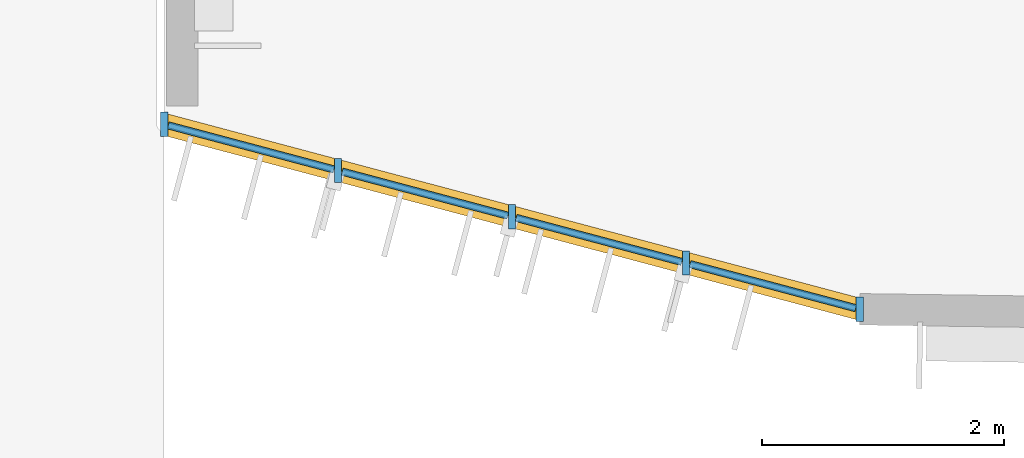
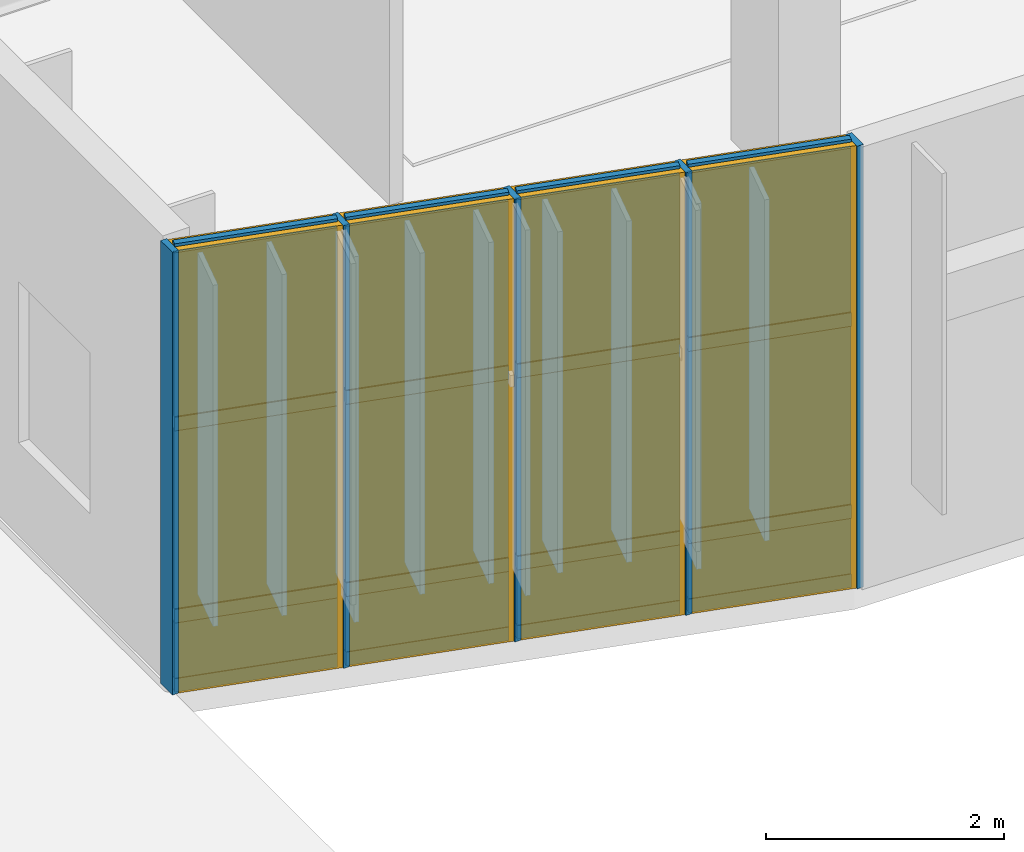
# One storey, part 82 of 122: 21 members, 12 plates, 1 curtain wall.
"""IFC4 building model written with IfcOpenShell, lengths in metres."""

from ifc_helpers import new_model, si_unit, direction, frame, frame_2d, origin, origin_2d, place, context, subcontext, project, spatial, rectangle, extrude, material, layer, layer_set, material_profile, profile_set, type_object, element, aggregate, save


model = new_model("IFC4")

# Units and contexts
model_context = context("Model", 3, precision=1e-05, world=origin(), true_north=direction((0.0, 1.0)))
body_context = subcontext(model_context, "Body", "Model", "MODEL_VIEW")
ifc_project = project(units=[si_unit("LENGTHUNIT", "METRE"), si_unit("AREAUNIT", "SQUARE_METRE"), si_unit("VOLUMEUNIT", "CUBIC_METRE"), si_unit("PLANEANGLEUNIT", "RADIAN"), si_unit("MASSUNIT", "GRAM", prefix="KILO")], contexts=[model_context])

# Member
ifc_material_1 = material(Name="Anodised Bronze Aluminium 6063-T6", Category="aluminium")
ifc_material_profile_1 = material_profile(ifc_material_1, rectangle(XDim=0.06005859375, YDim=0.199951171875, at=origin_2d()), Name="ALU MULLION 60x200")
ifc_profile_set_1 = profile_set([ifc_material_profile_1], Name="Anodised Bronze Aluminium 6063-T6")
member_type_1 = type_object("IfcMemberType", Name="Curtain-Wall Standard Mullion 60x200", PredefinedType="MULLION", material=ifc_profile_set_1)
site_placement = place(None, origin())
building_placement = place(site_placement, origin())
storey_placement = place(building_placement, origin())
member_1_placement = place(storey_placement, frame((125.39990234375, 18.800048828125, 0.0), z_axis=(0.0, 0.0, 1.0), x_axis=(1.0, 0.0, 0.0)))
member_1 = element("IfcMember", 1, at=member_1_placement, type_object=member_type_1, Name="Mullion CWM-03 CW-V4-DRUM-L00-S01-M01", PredefinedType="MULLION", context=body_context, shape_type="SweptSolid", body=[
    extrude(rectangle(XDim=0.06005859375, YDim=0.199951171875, at=origin_2d()), origin(), (0.0, 0.0, 1.0), 4.5400390625),
])

member_2_placement = place(storey_placement, frame((126.839599609375, 18.4169921875, 0.0), z_axis=(0.0, 0.0, 1.0), x_axis=(1.0, 0.0, 0.0)))
member_2 = element("IfcMember", 2, at=member_2_placement, type_object=member_type_1, Name="Mullion CWM-03 CW-V4-DRUM-L00-S01-M02", PredefinedType="MULLION", context=body_context, shape_type="SweptSolid", body=[
    extrude(rectangle(XDim=0.06005859375, YDim=0.199951171875, at=origin_2d()), origin(), (0.0, 0.0, 1.0), 4.5400390625),
])

member_3_placement = place(storey_placement, frame((128.279296875, 18.0341796875, 0.0), z_axis=(0.0, 0.0, 1.0), x_axis=(1.0, 0.0, 0.0)))
member_3 = element("IfcMember", 3, at=member_3_placement, type_object=member_type_1, Name="Mullion CWM-03 CW-V4-DRUM-L00-S01-M03", PredefinedType="MULLION", context=body_context, shape_type="SweptSolid", body=[
    extrude(rectangle(XDim=0.06005859375, YDim=0.199951171875, at=origin_2d()), origin(), (0.0, 0.0, 1.0), 4.5400390625),
])

member_4_placement = place(storey_placement, frame((129.718994140625, 17.651611328125, 0.0), z_axis=(0.0, 0.0, 1.0), x_axis=(1.0, 0.0, 0.0)))
member_4 = element("IfcMember", 4, at=member_4_placement, type_object=member_type_1, Name="Mullion CWM-03 CW-V4-DRUM-L00-S01-M04", PredefinedType="MULLION", context=body_context, shape_type="SweptSolid", body=[
    extrude(rectangle(XDim=0.06005859375, YDim=0.199951171875, at=origin_2d()), origin(), (0.0, 0.0, 1.0), 4.5400390625),
])

member_5_placement = place(storey_placement, frame((131.15869140625, 17.2685546875, 0.0), z_axis=(0.0, 0.0, 1.0), x_axis=(1.0, 0.0, 0.0)))
member_5 = element("IfcMember", 5, at=member_5_placement, type_object=member_type_1, Name="Mullion CWM-03 CW-V4-DRUM-L00-S01-M05", PredefinedType="MULLION", context=body_context, shape_type="SweptSolid", body=[
    extrude(rectangle(XDim=0.06005859375, YDim=0.199951171875, at=origin_2d()), origin(), (0.0, 0.0, 1.0), 4.5400390625),
])

ifc_material_profile_2 = material_profile(ifc_material_1, rectangle(XDim=0.06005859375, YDim=0.139892578125, at=origin_2d()), Name="ALU TRANSOM 60x140")
ifc_profile_set_2 = profile_set([ifc_material_profile_2], Name="Anodised Bronze Aluminium 6063-T6")
member_type_2 = type_object("IfcMemberType", Name="Curtain-Wall Transom 60x140", PredefinedType="USERDEFINED", material=ifc_profile_set_2)
member_6_placement = place(storey_placement, frame((125.433837890625, 18.791015625, 0.0400390625), z_axis=(0.966391732417, -0.257073957289, 0.0), x_axis=(0.257073957289, 0.966391732417, 0.0)))
member_6 = element("IfcMember", 6, at=member_6_placement, type_object=member_type_2, Name="Transom CWT-01 CW-V4-DRUM-L00-S01-T01.1", ObjectType="TRANSOM", PredefinedType="USERDEFINED", context=body_context, shape_type="SweptSolid", body=[
    extrude(rectangle(XDim=0.06005859375, YDim=0.139892578125, at=origin_2d()), origin(), (0.0, 0.0, 1.0), 1.419677734375),
])

member_7_placement = place(storey_placement, frame((125.433837890625, 18.791015625, 0.75), z_axis=(0.966391732417, -0.257073957289, 0.0), x_axis=(0.257073957289, 0.966391732417, 0.0)))
member_7 = element("IfcMember", 7, at=member_7_placement, type_object=member_type_2, Name="Transom CWT-01 CW-V4-DRUM-L00-S01-T01.2", ObjectType="TRANSOM", PredefinedType="USERDEFINED", context=body_context, shape_type="SweptSolid", body=[
    extrude(rectangle(XDim=0.06005859375, YDim=0.139892578125, at=origin_2d()), origin(), (0.0, 0.0, 1.0), 1.419677734375),
])

member_8_placement = place(storey_placement, frame((125.433837890625, 18.791015625, 2.720703125), z_axis=(0.966391732417, -0.257073957289, 0.0), x_axis=(0.257073957289, 0.966391732417, 0.0)))
member_8 = element("IfcMember", 8, at=member_8_placement, type_object=member_type_2, Name="Transom CWT-01 CW-V4-DRUM-L00-S01-T01.3", ObjectType="TRANSOM", PredefinedType="USERDEFINED", context=body_context, shape_type="SweptSolid", body=[
    extrude(rectangle(XDim=0.06005859375, YDim=0.139892578125, at=origin_2d()), origin(), (0.0, 0.0, 1.0), 1.419677734375),
])

member_9_placement = place(storey_placement, frame((125.433837890625, 18.791015625, 4.5), z_axis=(0.966391732417, -0.257073957289, 0.0), x_axis=(0.257073957289, 0.966391732417, 0.0)))
member_9 = element("IfcMember", 9, at=member_9_placement, type_object=member_type_2, Name="Transom CWT-01 CW-V4-DRUM-L00-S01-T01.4", ObjectType="TRANSOM", PredefinedType="USERDEFINED", context=body_context, shape_type="SweptSolid", body=[
    extrude(rectangle(XDim=0.06005859375, YDim=0.139892578125, at=origin_2d()), origin(), (0.0, 0.0, 1.0), 1.419677734375),
])

member_10_placement = place(storey_placement, frame((126.87353515625, 18.408203125, 0.0400390625), z_axis=(0.966391732417, -0.257073957289, 0.0), x_axis=(0.257073957289, 0.966391732417, 0.0)))
member_10 = element("IfcMember", 10, at=member_10_placement, type_object=member_type_2, Name="Transom CWT-01 CW-V4-DRUM-L00-S01-T02.1", ObjectType="TRANSOM", PredefinedType="USERDEFINED", context=body_context, shape_type="SweptSolid", body=[
    extrude(rectangle(XDim=0.06005859375, YDim=0.139892578125, at=origin_2d()), origin(), (0.0, 0.0, 1.0), 1.419677734375),
])

member_11_placement = place(storey_placement, frame((126.87353515625, 18.408203125, 0.75), z_axis=(0.966391732417, -0.257073957289, 0.0), x_axis=(0.257073957289, 0.966391732417, 0.0)))
member_11 = element("IfcMember", 11, at=member_11_placement, type_object=member_type_2, Name="Transom CWT-01 CW-V4-DRUM-L00-S01-T02.2", ObjectType="TRANSOM", PredefinedType="USERDEFINED", context=body_context, shape_type="SweptSolid", body=[
    extrude(rectangle(XDim=0.06005859375, YDim=0.139892578125, at=origin_2d()), origin(), (0.0, 0.0, 1.0), 1.419677734375),
])

member_12_placement = place(storey_placement, frame((126.87353515625, 18.408203125, 2.720703125), z_axis=(0.966391732417, -0.257073957289, 0.0), x_axis=(0.257073957289, 0.966391732417, 0.0)))
member_12 = element("IfcMember", 12, at=member_12_placement, type_object=member_type_2, Name="Transom CWT-01 CW-V4-DRUM-L00-S01-T02.3", ObjectType="TRANSOM", PredefinedType="USERDEFINED", context=body_context, shape_type="SweptSolid", body=[
    extrude(rectangle(XDim=0.06005859375, YDim=0.139892578125, at=origin_2d()), origin(), (0.0, 0.0, 1.0), 1.419677734375),
])

member_13_placement = place(storey_placement, frame((126.87353515625, 18.408203125, 4.5), z_axis=(0.966391732417, -0.257073957289, 0.0), x_axis=(0.257073957289, 0.966391732417, 0.0)))
member_13 = element("IfcMember", 13, at=member_13_placement, type_object=member_type_2, Name="Transom CWT-01 CW-V4-DRUM-L00-S01-T02.4", ObjectType="TRANSOM", PredefinedType="USERDEFINED", context=body_context, shape_type="SweptSolid", body=[
    extrude(rectangle(XDim=0.06005859375, YDim=0.139892578125, at=origin_2d()), origin(), (0.0, 0.0, 1.0), 1.419677734375),
])

member_14_placement = place(storey_placement, frame((128.313232421875, 18.025390625, 0.0400390625), z_axis=(0.966391732417, -0.257073957289, 0.0), x_axis=(0.257073957289, 0.966391732417, 0.0)))
member_14 = element("IfcMember", 14, at=member_14_placement, type_object=member_type_2, Name="Transom CWT-01 CW-V4-DRUM-L00-S01-T03.1", ObjectType="TRANSOM", PredefinedType="USERDEFINED", context=body_context, shape_type="SweptSolid", body=[
    extrude(rectangle(XDim=0.06005859375, YDim=0.139892578125, at=origin_2d()), origin(), (0.0, 0.0, 1.0), 1.419677734375),
])

member_15_placement = place(storey_placement, frame((128.313232421875, 18.025390625, 0.75), z_axis=(0.966391732417, -0.257073957289, 0.0), x_axis=(0.257073957289, 0.966391732417, 0.0)))
member_15 = element("IfcMember", 15, at=member_15_placement, type_object=member_type_2, Name="Transom CWT-01 CW-V4-DRUM-L00-S01-T03.2", ObjectType="TRANSOM", PredefinedType="USERDEFINED", context=body_context, shape_type="SweptSolid", body=[
    extrude(rectangle(XDim=0.06005859375, YDim=0.139892578125, at=origin_2d()), origin(), (0.0, 0.0, 1.0), 1.419677734375),
])

member_16_placement = place(storey_placement, frame((128.313232421875, 18.025390625, 2.720703125), z_axis=(0.966391732417, -0.257073957289, 0.0), x_axis=(0.257073957289, 0.966391732417, 0.0)))
member_16 = element("IfcMember", 16, at=member_16_placement, type_object=member_type_2, Name="Transom CWT-01 CW-V4-DRUM-L00-S01-T03.3", ObjectType="TRANSOM", PredefinedType="USERDEFINED", context=body_context, shape_type="SweptSolid", body=[
    extrude(rectangle(XDim=0.06005859375, YDim=0.139892578125, at=origin_2d()), origin(), (0.0, 0.0, 1.0), 1.419677734375),
])

member_17_placement = place(storey_placement, frame((128.313232421875, 18.025390625, 4.5), z_axis=(0.966391732417, -0.257073957289, 0.0), x_axis=(0.257073957289, 0.966391732417, 0.0)))
member_17 = element("IfcMember", 17, at=member_17_placement, type_object=member_type_2, Name="Transom CWT-01 CW-V4-DRUM-L00-S01-T03.4", ObjectType="TRANSOM", PredefinedType="USERDEFINED", context=body_context, shape_type="SweptSolid", body=[
    extrude(rectangle(XDim=0.06005859375, YDim=0.139892578125, at=origin_2d()), origin(), (0.0, 0.0, 1.0), 1.419677734375),
])

member_18_placement = place(storey_placement, frame((129.7529296875, 17.642578125, 0.0400390625), z_axis=(0.966391732417, -0.257073957289, 0.0), x_axis=(0.257073957289, 0.966391732417, 0.0)))
member_18 = element("IfcMember", 18, at=member_18_placement, type_object=member_type_2, Name="Transom CWT-01 CW-V4-DRUM-L00-S01-T04.1", ObjectType="TRANSOM", PredefinedType="USERDEFINED", context=body_context, shape_type="SweptSolid", body=[
    extrude(rectangle(XDim=0.06005859375, YDim=0.139892578125, at=origin_2d()), origin(), (0.0, 0.0, 1.0), 1.419677734375),
])

member_19_placement = place(storey_placement, frame((129.7529296875, 17.642578125, 0.75), z_axis=(0.966391732417, -0.257073957289, 0.0), x_axis=(0.257073957289, 0.966391732417, 0.0)))
member_19 = element("IfcMember", 19, at=member_19_placement, type_object=member_type_2, Name="Transom CWT-01 CW-V4-DRUM-L00-S01-T04.2", ObjectType="TRANSOM", PredefinedType="USERDEFINED", context=body_context, shape_type="SweptSolid", body=[
    extrude(rectangle(XDim=0.06005859375, YDim=0.139892578125, at=origin_2d()), origin(), (0.0, 0.0, 1.0), 1.419677734375),
])

member_20_placement = place(storey_placement, frame((129.7529296875, 17.642578125, 2.720703125), z_axis=(0.966391732417, -0.257073957289, 0.0), x_axis=(0.257073957289, 0.966391732417, 0.0)))
member_20 = element("IfcMember", 20, at=member_20_placement, type_object=member_type_2, Name="Transom CWT-01 CW-V4-DRUM-L00-S01-T04.3", ObjectType="TRANSOM", PredefinedType="USERDEFINED", context=body_context, shape_type="SweptSolid", body=[
    extrude(rectangle(XDim=0.06005859375, YDim=0.139892578125, at=origin_2d()), origin(), (0.0, 0.0, 1.0), 1.419677734375),
])

member_21_placement = place(storey_placement, frame((129.7529296875, 17.642578125, 4.5), z_axis=(0.966391732417, -0.257073957289, 0.0), x_axis=(0.257073957289, 0.966391732417, 0.0)))
member_21 = element("IfcMember", 21, at=member_21_placement, type_object=member_type_2, Name="Transom CWT-01 CW-V4-DRUM-L00-S01-T04.4", ObjectType="TRANSOM", PredefinedType="USERDEFINED", context=body_context, shape_type="SweptSolid", body=[
    extrude(rectangle(XDim=0.06005859375, YDim=0.139892578125, at=origin_2d()), origin(), (0.0, 0.0, 1.0), 1.419677734375),
])

# Plate
ifc_material_2 = material(Name="Insulated Bronze Aluminium Spandrel Panel", Category="aluminium")
ifc_layer_1 = layer(ifc_material_2, 0.050048828125, Name="Insulated Bronze Aluminium Spandrel Panel")
ifc_layer_set_1 = layer_set([ifc_layer_1], Name="Insulated Bronze Aluminium Spandrel Panel")
plate_type_1 = type_object("IfcPlateType", Name="Insulated Anodised Aluminium Spandrel Cassette 50", PredefinedType="CURTAIN_PANEL", material=ifc_layer_set_1)
plate_1_placement = place(storey_placement, frame((126.119873046875, 18.608642578125, 0.070068359375), z_axis=(0.0, 0.0, 1.0), x_axis=(0.966413318036, -0.256992798969, 0.0)))
plate_1 = element("IfcPlate", 22, at=plate_1_placement, type_object=plate_type_1, Name="Curtain Panel CWP-03 CW-V4-DRUM-L00-S01-P01.1", PredefinedType="CURTAIN_PANEL", context=body_context, shape_type="SweptSolid", body=[
    extrude(rectangle(XDim=1.419677734375, YDim=0.050048828125, at=origin_2d()), origin(), (0.0, 0.0, 1.0), 0.64990234375),
])

plate_2_placement = place(storey_placement, frame((127.5595703125, 18.2255859375, 0.070068359375), z_axis=(0.0, 0.0, 1.0), x_axis=(0.966413318036, -0.256992798969, 0.0)))
plate_2 = element("IfcPlate", 23, at=plate_2_placement, type_object=plate_type_1, Name="Curtain Panel CWP-03 CW-V4-DRUM-L00-S01-P02.1", PredefinedType="CURTAIN_PANEL", context=body_context, shape_type="SweptSolid", body=[
    extrude(rectangle(XDim=1.419677734375, YDim=0.050048828125, at=origin_2d()), origin(), (0.0, 0.0, 1.0), 0.64990234375),
])

plate_3_placement = place(storey_placement, frame((128.999267578125, 17.843017578125, 0.070068359375), z_axis=(0.0, 0.0, 1.0), x_axis=(0.966413318036, -0.256992798969, 0.0)))
plate_3 = element("IfcPlate", 24, at=plate_3_placement, type_object=plate_type_1, Name="Curtain Panel CWP-03 CW-V4-DRUM-L00-S01-P03.1", PredefinedType="CURTAIN_PANEL", context=body_context, shape_type="SweptSolid", body=[
    extrude(rectangle(XDim=1.419677734375, YDim=0.050048828125, at=origin_2d()), origin(), (0.0, 0.0, 1.0), 0.64990234375),
])

plate_4_placement = place(storey_placement, frame((130.43896484375, 17.4599609375, 0.070068359375), z_axis=(0.0, 0.0, 1.0), x_axis=(0.966413318036, -0.256992798969, 0.0)))
plate_4 = element("IfcPlate", 25, at=plate_4_placement, type_object=plate_type_1, Name="Curtain Panel CWP-03 CW-V4-DRUM-L00-S01-P04.1", PredefinedType="CURTAIN_PANEL", context=body_context, shape_type="SweptSolid", body=[
    extrude(rectangle(XDim=1.419677734375, YDim=0.050048828125, at=origin_2d()), origin(), (0.0, 0.0, 1.0), 0.64990234375),
])

ifc_material_3 = material(Name="Solar-Control Tempered Double Glazing", Category="glass")
ifc_layer_2 = layer(ifc_material_3, 0.0380859375, Name="Solar-Control Tempered Double Glazing")
ifc_layer_set_2 = layer_set([ifc_layer_2], Name="Solar-Control Tempered Double Glazing")
plate_type_2 = type_object("IfcPlateType", Name="Solar-Control Vision Glazing Unit 38", PredefinedType="CURTAIN_PANEL", material=ifc_layer_set_2)
plate_5_placement = place(storey_placement, frame((126.119873046875, 18.608642578125, 0.77978515625), z_axis=(0.0, 0.0, 1.0), x_axis=(0.966413318036, -0.256992798969, 0.0)))
plate_5 = element("IfcPlate", 26, at=plate_5_placement, type_object=plate_type_2, Name="Curtain Panel CWP-02 CW-V4-DRUM-L00-S01-P01.2", PredefinedType="CURTAIN_PANEL", context=body_context, shape_type="SweptSolid", body=[
    extrude(rectangle(XDim=1.419677734375, YDim=0.0380859375, at=origin_2d()), origin(), (0.0, 0.0, 1.0), 1.910888671875),
])

plate_6_placement = place(storey_placement, frame((126.119873046875, 18.608642578125, 2.750732421875), z_axis=(0.0, 0.0, 1.0), x_axis=(0.966413318036, -0.256992798969, 0.0)))
plate_6 = element("IfcPlate", 27, at=plate_6_placement, type_object=plate_type_2, Name="Curtain Panel CWP-02 CW-V4-DRUM-L00-S01-P01.3", PredefinedType="CURTAIN_PANEL", context=body_context, shape_type="SweptSolid", body=[
    extrude(rectangle(XDim=1.419677734375, YDim=0.0380859375, at=origin_2d()), origin(), (0.0, 0.0, 1.0), 1.71923828125),
])

plate_7_placement = place(storey_placement, frame((127.5595703125, 18.2255859375, 0.77978515625), z_axis=(0.0, 0.0, 1.0), x_axis=(0.966413318036, -0.256992798969, 0.0)))
plate_7 = element("IfcPlate", 28, at=plate_7_placement, type_object=plate_type_2, Name="Curtain Panel CWP-02 CW-V4-DRUM-L00-S01-P02.2", PredefinedType="CURTAIN_PANEL", context=body_context, shape_type="SweptSolid", body=[
    extrude(rectangle(XDim=1.419677734375, YDim=0.0380859375, at=origin_2d()), origin(), (0.0, 0.0, 1.0), 1.910888671875),
])

plate_8_placement = place(storey_placement, frame((127.5595703125, 18.2255859375, 2.750732421875), z_axis=(0.0, 0.0, 1.0), x_axis=(0.966413318036, -0.256992798969, 0.0)))
plate_8 = element("IfcPlate", 29, at=plate_8_placement, type_object=plate_type_2, Name="Curtain Panel CWP-02 CW-V4-DRUM-L00-S01-P02.3", PredefinedType="CURTAIN_PANEL", context=body_context, shape_type="SweptSolid", body=[
    extrude(rectangle(XDim=1.419677734375, YDim=0.0380859375, at=origin_2d()), origin(), (0.0, 0.0, 1.0), 1.71923828125),
])

plate_9_placement = place(storey_placement, frame((128.999267578125, 17.843017578125, 0.77978515625), z_axis=(0.0, 0.0, 1.0), x_axis=(0.966413318036, -0.256992798969, 0.0)))
plate_9 = element("IfcPlate", 30, at=plate_9_placement, type_object=plate_type_2, Name="Curtain Panel CWP-02 CW-V4-DRUM-L00-S01-P03.2", PredefinedType="CURTAIN_PANEL", context=body_context, shape_type="SweptSolid", body=[
    extrude(rectangle(XDim=1.419677734375, YDim=0.0380859375, at=origin_2d()), origin(), (0.0, 0.0, 1.0), 1.910888671875),
])

plate_10_placement = place(storey_placement, frame((128.999267578125, 17.843017578125, 2.750732421875), z_axis=(0.0, 0.0, 1.0), x_axis=(0.966413318036, -0.256992798969, 0.0)))
plate_10 = element("IfcPlate", 31, at=plate_10_placement, type_object=plate_type_2, Name="Curtain Panel CWP-02 CW-V4-DRUM-L00-S01-P03.3", PredefinedType="CURTAIN_PANEL", context=body_context, shape_type="SweptSolid", body=[
    extrude(rectangle(XDim=1.419677734375, YDim=0.0380859375, at=origin_2d()), origin(), (0.0, 0.0, 1.0), 1.71923828125),
])

plate_11_placement = place(storey_placement, frame((130.43896484375, 17.4599609375, 0.77978515625), z_axis=(0.0, 0.0, 1.0), x_axis=(0.966413318036, -0.256992798969, 0.0)))
plate_11 = element("IfcPlate", 32, at=plate_11_placement, type_object=plate_type_2, Name="Curtain Panel CWP-02 CW-V4-DRUM-L00-S01-P04.2", PredefinedType="CURTAIN_PANEL", context=body_context, shape_type="SweptSolid", body=[
    extrude(rectangle(XDim=1.419677734375, YDim=0.0380859375, at=origin_2d()), origin(), (0.0, 0.0, 1.0), 1.910888671875),
])

plate_12_placement = place(storey_placement, frame((130.43896484375, 17.4599609375, 2.750732421875), z_axis=(0.0, 0.0, 1.0), x_axis=(0.966413318036, -0.256992798969, 0.0)))
plate_12 = element("IfcPlate", 33, at=plate_12_placement, type_object=plate_type_2, Name="Curtain Panel CWP-02 CW-V4-DRUM-L00-S01-P04.3", PredefinedType="CURTAIN_PANEL", context=body_context, shape_type="SweptSolid", body=[
    extrude(rectangle(XDim=1.419677734375, YDim=0.0380859375, at=origin_2d()), origin(), (0.0, 0.0, 1.0), 1.71923828125),
])

# Site, building, storey
site = spatial("IfcSite", under=ifc_project, at=site_placement, CompositionType="ELEMENT")
building = spatial("IfcBuilding", under=site, at=building_placement, Name="Tazoul Stagehouse", CompositionType="ELEMENT")
storey = spatial("IfcBuildingStorey", under=building, at=storey_placement, Name="L00", CompositionType="ELEMENT", Elevation=0.0)

# Curtain wall
curtain_wall_type = type_object("IfcCurtainWallType", Name="Studio Drum Faceted Curtain Wall", PredefinedType="NOTDEFINED", material=ifc_material_1)
curtain_wall_placement = place(storey_placement, frame((125.39990234375, 18.800048828125, 0.0), z_axis=(0.0, 0.0, 1.0), x_axis=(0.966409479, -0.25700723511, 0.0)))
curtain_wall = element("IfcCurtainWall", 34, at=curtain_wall_placement, inside=storey, type_object=curtain_wall_type, Name="L00 Curtain Wall CW-03 (CW-V4-DRUM-L00-S01)", PredefinedType="NOTDEFINED", context=body_context, shape_type="SweptSolid", body=[
    extrude(rectangle(XDim=5.958984375, YDim=0.179931640625, at=frame_2d((2.9794921875, 0.0))), origin(), (0.0, 0.0, 1.0), 4.5400390625),
])

aggregate(curtain_wall, [member_1, member_2, member_3, member_4, member_5, member_6, member_7, member_8, member_9, plate_1, plate_5, plate_6, member_10, member_11, member_12, member_13, plate_2, plate_7, plate_8, member_14, member_15, member_16, member_17, plate_3, plate_9, plate_10, member_18, member_19, member_20, member_21, plate_4, plate_11, plate_12])

save(model, "model.ifc")
